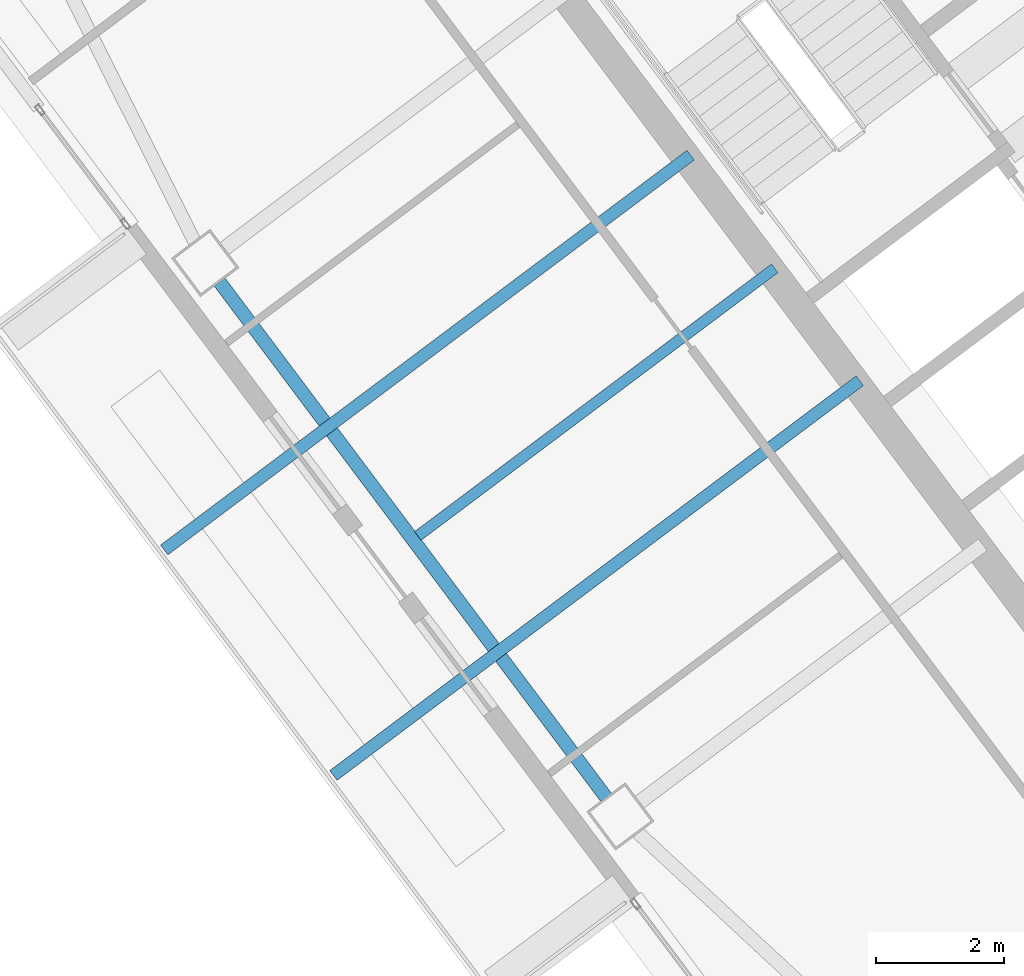
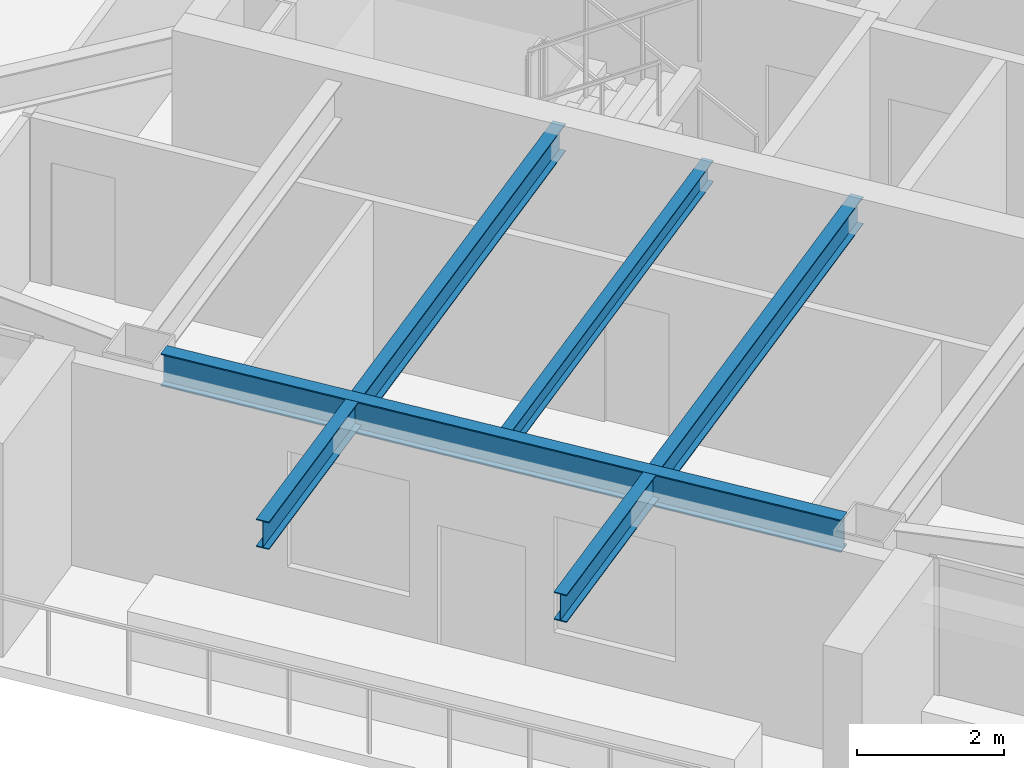
# One storey, part 16 of 39: 4 beams.
"""IFC4 building model written with IfcOpenShell, lengths in metres."""

from ifc_helpers import new_model, si_unit, direction, frame, origin, origin_2d, place, context, subcontext, project, spatial, i_section, extrude, material, material_profile, profile_set, type_object, element, save


model = new_model("IFC4")

# Units and contexts
model_context = context("Model", 3, precision=1e-05, world=origin(), true_north=direction((0.0, 1.0)))
body_context = subcontext(model_context, "Body", "Model", "MODEL_VIEW")
ifc_project = project(units=[si_unit("LENGTHUNIT", "METRE"), si_unit("AREAUNIT", "SQUARE_METRE"), si_unit("VOLUMEUNIT", "CUBIC_METRE"), si_unit("PLANEANGLEUNIT", "RADIAN"), si_unit("MASSUNIT", "GRAM", prefix="KILO")], contexts=[model_context])

# Site, building, storey
site_placement = place(None, origin())
site = spatial("IfcSite", under=ifc_project, at=site_placement, CompositionType="ELEMENT")
building_placement = place(site_placement, origin())
building = spatial("IfcBuilding", under=site, at=building_placement, Name="Tashvorn Skyway Center", CompositionType="ELEMENT")
storey_placement = place(building_placement, frame((0.0, 0.0, 225.5)))
storey = spatial("IfcBuildingStorey", under=building, at=storey_placement, Name="L61", CompositionType="ELEMENT", Elevation=225.5)

# Beams
ifc_material = material(Name="Steel ASTM A992 Grade 50", Category="steel")
ifc_material_profile_1 = material_profile(ifc_material, i_section(OverallWidth=0.1708984375, OverallDepth=0.35498046875, WebThickness=0.007080078125, FlangeThickness=0.01171875, at=origin_2d()), Name="W14X34")
ifc_profile_set_1 = profile_set([ifc_material_profile_1], Name="Steel ASTM A992 Grade 50")
beam_type_1 = type_object("IfcBeamType", Name="BM-JOIST-W14X34", PredefinedType="JOIST", material=ifc_profile_set_1)
beam_1_placement = place(storey_placement, frame((107.76806640625, 27.325927734375, 3.1923828125), z_axis=(-0.800004207761, -0.599994389612, 0.0), x_axis=(0.599994389612, -0.800004207761, 0.0)))
element("IfcBeam", 1, at=beam_1_placement, inside=storey, type_object=beam_type_1, Name="Tower 2 L61 Secondary Composite Joist JW", PredefinedType="JOIST", context=body_context, shape_type="SweptSolid", body=[
    extrude(i_section(OverallWidth=0.1708984375, OverallDepth=0.35498046875, WebThickness=0.007080078125, FlangeThickness=0.01171875, at=origin_2d()), origin(), (0.0, 0.0, 1.0), 6.962646484375),
])
ifc_material_profile_2 = material_profile(ifc_material, i_section(OverallWidth=0.19091796875, OverallDepth=0.4599609375, WebThickness=0.010009765625, FlangeThickness=0.01611328125, at=origin_2d()), Name="W18X55")
ifc_profile_set_2 = profile_set([ifc_material_profile_2], Name="Steel ASTM A992 Grade 50")
beam_type_2 = type_object("IfcBeamType", Name="BM-JOIST-W18X55", PredefinedType="JOIST", material=ifc_profile_set_2)
for number, where, z_axis, x_axis, name in (
    (2, (109.095947265625, 25.572021484375, 3.139892578125), (-0.799997147358, -0.600003803504, 0.0), (0.600003803504, -0.799997147358, 0.0), "Tower 2 L62 Terrace Cantilever Outlooker 1"),
    (3, (106.4560546875, 29.092041015625, 3.139892578125), (-0.799997147358, -0.600003803504, 0.0), (0.600003803504, -0.799997147358, 0.0), "Tower 2 L62 Terrace Cantilever Outlooker 2"),
):
    element("IfcBeam", number, at=place(storey_placement, frame(where, z_axis=z_axis, x_axis=x_axis)), inside=storey, type_object=beam_type_2, Name=name, PredefinedType="JOIST", context=body_context, shape_type="SweptSolid", body=[
        extrude(i_section(OverallWidth=0.19091796875, OverallDepth=0.4599609375, WebThickness=0.010009765625, FlangeThickness=0.01611328125, at=origin_2d()), origin(), (0.0, 0.0, 1.0), 10.27001953125),
    ])
ifc_material_profile_3 = material_profile(ifc_material, i_section(OverallWidth=0.2109375, OverallDepth=0.5390625, WebThickness=0.01171875, FlangeThickness=0.018798828125, at=origin_2d()), Name="W21X73")
ifc_profile_set_3 = profile_set([ifc_material_profile_3], Name="Steel ASTM A992 Grade 50")
beam_type_3 = type_object("IfcBeamType", Name="BM-SPANDREL-W21X73", PredefinedType="SPANDREL", material=ifc_profile_set_3)
beam_2_placement = place(storey_placement, frame((99.10205078125, 27.114013671875, 3.1005859375), z_axis=(0.599988351091, -0.800008736549, 0.0), x_axis=(0.800008736549, 0.599988351091, 0.0)))
element("IfcBeam", 4, at=beam_2_placement, inside=storey, type_object=beam_type_3, Name="Tower 2 L61 Spandrel Beam 11", PredefinedType="SPANDREL", context=body_context, shape_type="SweptSolid", body=[
    extrude(i_section(OverallWidth=0.2109375, OverallDepth=0.5390625, WebThickness=0.01171875, FlangeThickness=0.018798828125, at=origin_2d()), origin(), (0.0, 0.0, 1.0), 10.06005859375),
])

save(model, "model.ifc")
